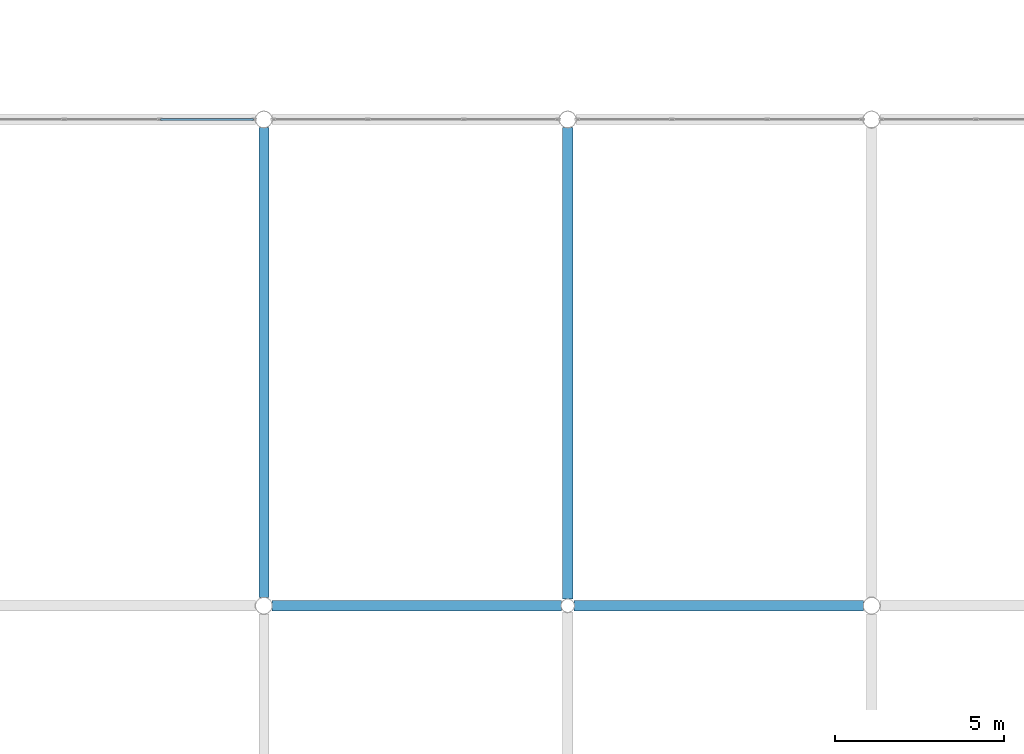
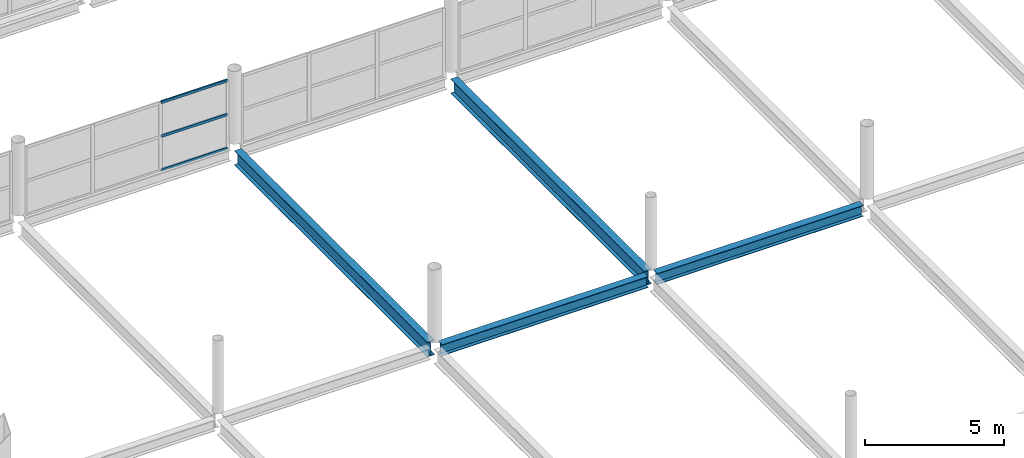
# One storey, part 39 of 134: 4 beams, 3 members, 1 element without a shape of its own.
"""IFC4 building model written with IfcOpenShell, lengths in metres."""

from ifc_helpers import new_model, si_unit, direction, frame, origin, origin_2d, place, context, subcontext, project, spatial, hollow_rectangle, i_section, extrude, material, layer, layer_set, material_profile, profile_set, type_object, element, aggregate, save


model = new_model("IFC4")

# Units and contexts
model_context = context("Model", 3, precision=1e-05, world=origin(), true_north=direction((0.0, 1.0)))
body_context = subcontext(model_context, "Body", "Model", "MODEL_VIEW")
ifc_project = project(units=[si_unit("LENGTHUNIT", "METRE"), si_unit("AREAUNIT", "SQUARE_METRE"), si_unit("VOLUMEUNIT", "CUBIC_METRE"), si_unit("PLANEANGLEUNIT", "RADIAN"), si_unit("MASSUNIT", "GRAM", prefix="KILO")], contexts=[model_context])

# Site, building, storey
site_placement = place(None, origin())
site = spatial("IfcSite", under=ifc_project, at=site_placement, CompositionType="ELEMENT")
building_placement = place(site_placement, origin())
building = spatial("IfcBuilding", under=site, at=building_placement, Name="Tamarisk Ironworks Central Station", CompositionType="ELEMENT")
storey_placement = place(building_placement, frame((0.0, 0.0, 12.60009765625)))
storey = spatial("IfcBuildingStorey", under=building, at=storey_placement, Name="L02", CompositionType="ELEMENT", Elevation=12.60009765625)

# Beams
ifc_material_1 = material(Name="Structural steel S355J2", Category="steel")
ifc_material_profile_1 = material_profile(ifc_material_1, i_section(OverallWidth=0.300048828125, OverallDepth=0.639892578125, WebThickness=0.013427734375, FlangeThickness=0.02587890625, at=origin_2d()), Name="HEA 650")
ifc_profile_set_1 = profile_set([ifc_material_profile_1], Name="Structural steel S355J2")
beam_type_1 = type_object("IfcBeamType", Name="BM-G02", PredefinedType="BEAM", material=ifc_profile_set_1)
beam_1_placement = place(storey_placement, frame((18.0, 65.0419921875, -0.570068359375), z_axis=(0.0, 1.0, 0.0), x_axis=(-1.0, 0.0, 0.0)))
element("IfcBeam", 1, at=beam_1_placement, inside=storey, type_object=beam_type_1, Name="L02 primary girder Y-0432", PredefinedType="BEAM", context=body_context, shape_type="SweptSolid", body=[
    extrude(i_section(OverallWidth=0.300048828125, OverallDepth=0.639892578125, WebThickness=0.013427734375, FlangeThickness=0.02587890625, at=origin_2d()), origin(), (0.0, 0.0, 1.0), 13.916015625),
])
beam_2_placement = place(storey_placement, frame((27.0, 64.9912109375, -0.570068359375), z_axis=(0.0, 1.0, 0.0), x_axis=(-1.0, 0.0, 0.0)))
element("IfcBeam", 2, at=beam_2_placement, inside=storey, type_object=beam_type_1, Name="L02 primary girder Y-0439", PredefinedType="BEAM", context=body_context, shape_type="SweptSolid", body=[
    extrude(i_section(OverallWidth=0.300048828125, OverallDepth=0.639892578125, WebThickness=0.013427734375, FlangeThickness=0.02587890625, at=origin_2d()), origin(), (0.0, 0.0, 1.0), 13.966796875),
])
ifc_material_profile_2 = material_profile(ifc_material_1, i_section(OverallWidth=0.300048828125, OverallDepth=0.489990234375, WebThickness=0.011962890625, FlangeThickness=0.02294921875, at=origin_2d()), Name="HEA 500")
ifc_profile_set_2 = profile_set([ifc_material_profile_2], Name="Structural steel S355J2")
beam_type_2 = type_object("IfcBeamType", Name="BM-G05", PredefinedType="BEAM", material=ifc_profile_set_2)
for number, where, z_axis, x_axis, name in (
    (3, (18.241943359375, 64.800048828125, -0.4951171875), (1.0, 0.0, 0.0), (0.0, 1.0, 0.0), "L02 primary girder X-0345"),
    (4, (27.191162109375, 64.800048828125, -0.4951171875), (1.0, 0.0, 0.0), (0.0, 1.0, 0.0), "L02 primary girder X-0346"),
):
    element("IfcBeam", number, at=place(storey_placement, frame(where, z_axis=z_axis, x_axis=x_axis)), inside=storey, type_object=beam_type_2, Name=name, PredefinedType="BEAM", context=body_context, shape_type="SweptSolid", body=[
        extrude(i_section(OverallWidth=0.300048828125, OverallDepth=0.489990234375, WebThickness=0.011962890625, FlangeThickness=0.02294921875, at=origin_2d()), origin(), (0.0, 0.0, 1.0), 8.56689453125),
    ])

# Curtain wall, members
ifc_material_2 = material(Name="Anodized aluminium alloy 6063-T6", Category="aluminium")
ifc_layer = layer(ifc_material_2, 0.179931640625)
ifc_layer_set = layer_set([ifc_layer], Name="Anodized aluminium alloy 6063-T6")
curtain_wall_type = type_object("IfcCurtainWallType", Name="CW-08", PredefinedType="USERDEFINED", material=ifc_layer_set)
curtain_wall_placement = place(storey_placement, origin())
curtain_wall = element("IfcCurtainWall", 5, at=curtain_wall_placement, inside=storey, type_object=curtain_wall_type, Name="Train shed WN clerestory curtain wall 009", ObjectType="GLAZED CURTAIN WALL", PredefinedType="USERDEFINED")
ifc_material_profile_3 = material_profile(ifc_material_2, hollow_rectangle(XDim=0.06005859375, YDim=0.114990234375, WallThickness=0.00341796875, at=origin_2d()), Name="ALUM 115x60")
ifc_profile_set_3 = profile_set([ifc_material_profile_3], Name="Anodized aluminium alloy 6063-T6")
member_type = type_object("IfcMemberType", Name="CWT-03", PredefinedType="USERDEFINED", material=ifc_profile_set_3)
member_1_placement = place(storey_placement, frame((14.94189453125, 79.199951171875, -0.22998046875), z_axis=(1.0, 0.0, 0.0), x_axis=(0.0, 1.0, 0.0)))
member_1 = element("IfcMember", 6, at=member_1_placement, type_object=member_type, Name="CW08 transom 3.1", ObjectType="TRANSOM", PredefinedType="USERDEFINED", context=body_context, shape_type="SweptSolid", body=[
    extrude(hollow_rectangle(XDim=0.06005859375, YDim=0.114990234375, WallThickness=0.00341796875, at=origin_2d()), origin(), (0.0, 0.0, 1.0), 2.75),
])
member_2_placement = place(storey_placement, frame((14.94189453125, 79.199951171875, 1.260009765625), z_axis=(1.0, 0.0, 0.0), x_axis=(0.0, 1.0, 0.0)))
member_2 = element("IfcMember", 7, at=member_2_placement, type_object=member_type, Name="CW08 transom 3.2", ObjectType="TRANSOM", PredefinedType="USERDEFINED", context=body_context, shape_type="SweptSolid", body=[
    extrude(hollow_rectangle(XDim=0.06005859375, YDim=0.114990234375, WallThickness=0.00341796875, at=origin_2d()), origin(), (0.0, 0.0, 1.0), 2.75),
])
member_3_placement = place(storey_placement, frame((14.94189453125, 79.199951171875, 2.75), z_axis=(1.0, 0.0, 0.0), x_axis=(0.0, 1.0, 0.0)))
member_3 = element("IfcMember", 8, at=member_3_placement, type_object=member_type, Name="CW08 transom 3.3", ObjectType="TRANSOM", PredefinedType="USERDEFINED", context=body_context, shape_type="SweptSolid", body=[
    extrude(hollow_rectangle(XDim=0.06005859375, YDim=0.114990234375, WallThickness=0.00341796875, at=origin_2d()), origin(), (0.0, 0.0, 1.0), 2.75),
])
aggregate(curtain_wall, [member_1, member_2, member_3])

save(model, "model.ifc")
